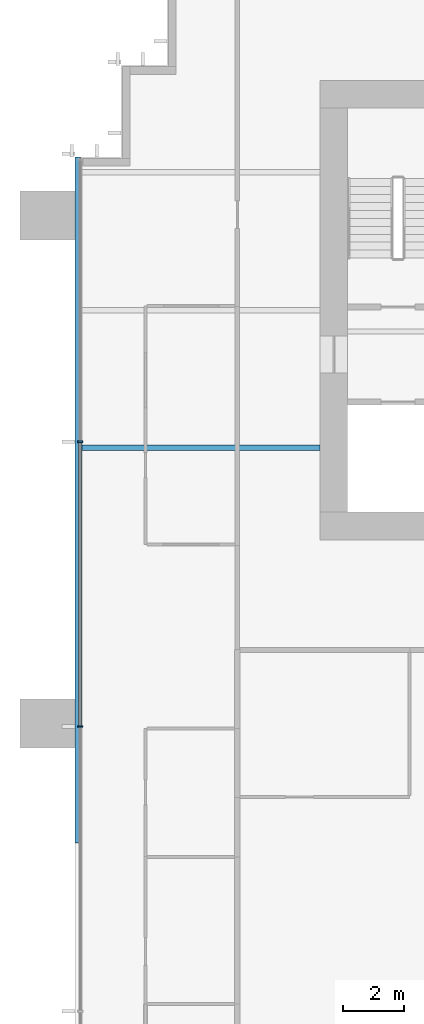
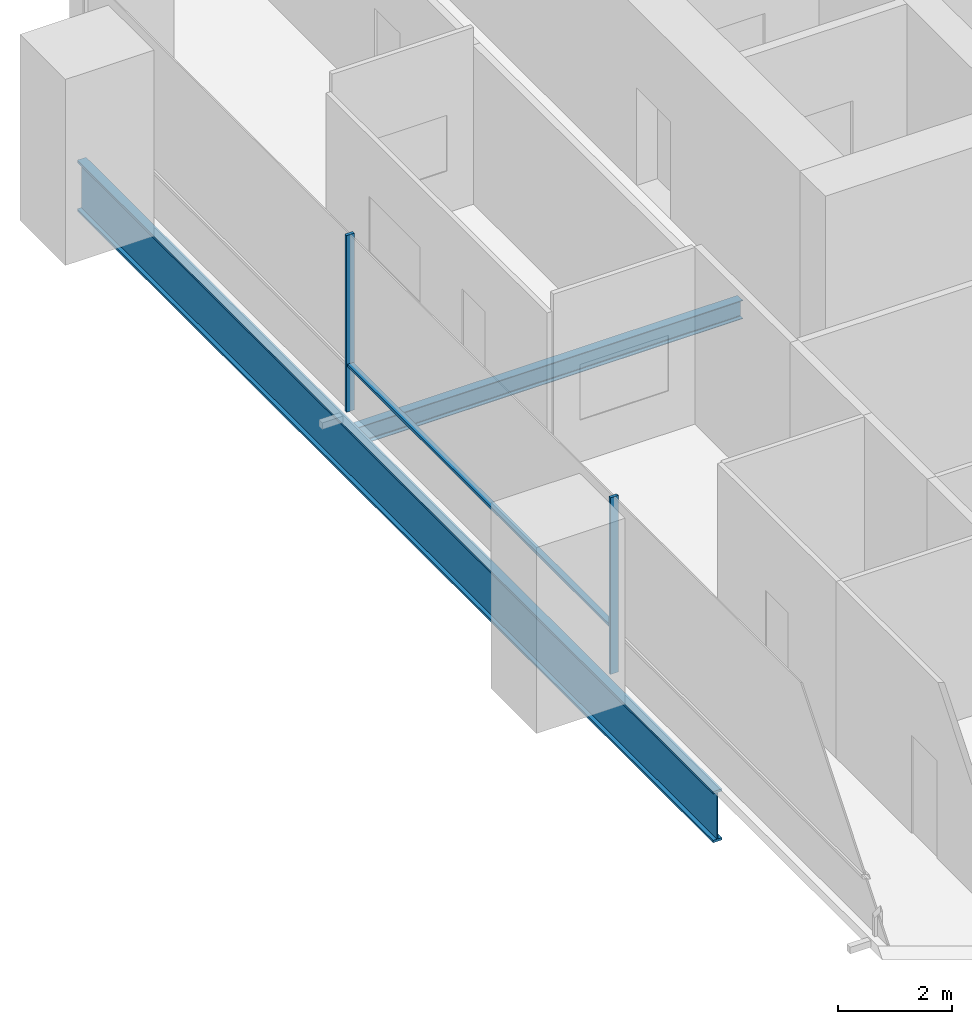
# One storey, part 4 of 17: 3 members, 2 beams, 1 element without a shape of its own.
"""IFC4 building model written with IfcOpenShell, lengths in metres."""

from ifc_helpers import new_model, si_unit, direction, frame, origin, origin_2d, place, context, subcontext, project, spatial, rectangle, i_section, extrude, material, material_profile, profile_set, type_object, element, aggregate, save


model = new_model("IFC4")

# Units and contexts
model_context = context("Model", 3, precision=1e-05, world=origin(), true_north=direction((0.0, 1.0)))
body_context = subcontext(model_context, "Body", "Model", "MODEL_VIEW")
ifc_project = project(units=[si_unit("LENGTHUNIT", "METRE"), si_unit("AREAUNIT", "SQUARE_METRE"), si_unit("VOLUMEUNIT", "CUBIC_METRE"), si_unit("PLANEANGLEUNIT", "RADIAN"), si_unit("MASSUNIT", "GRAM", prefix="KILO")], contexts=[model_context])

# Site, building, storey
site_placement = place(None, origin())
site = spatial("IfcSite", under=ifc_project, at=site_placement, CompositionType="ELEMENT")
building_placement = place(site_placement, origin())
building = spatial("IfcBuilding", under=site, at=building_placement, Name="Rattan Terrace Tower", CompositionType="ELEMENT")
storey_placement = place(building_placement, frame((0.0, 0.0, 95.699951171875)))
storey = spatial("IfcBuildingStorey", under=building, at=storey_placement, Name="L21", CompositionType="ELEMENT", Elevation=95.699951171875)

# Curtain wall, members
ifc_material_1 = material(Name="Aluminium and glass", Category="aluminium")
curtain_wall_type = type_object("IfcCurtainWallType", Name="Facade Unitised Curtain Wall", PredefinedType="NOTDEFINED", material=ifc_material_1)
curtain_wall_placement = place(storey_placement, origin())
curtain_wall = element("IfcCurtainWall", 1, at=curtain_wall_placement, inside=storey, type_object=curtain_wall_type, Name="Curtain wall L21-3", PredefinedType="NOTDEFINED")
ifc_material_2 = material(Name="Aluminium", Category="aluminium")
ifc_material_profile_1 = material_profile(ifc_material_2, rectangle(XDim=0.06005859375, YDim=0.159912109375, at=origin_2d()), Name="Aluminium 60x160")
ifc_profile_set_1 = profile_set([ifc_material_profile_1], Name="Aluminium")
member_type_1 = type_object("IfcMemberType", Name="Facade CW Mullion 60x160", PredefinedType="MULLION", material=ifc_profile_set_1)
member_1_placement = place(storey_placement, frame((-25.830078125, -4.300048828125, 0.0), z_axis=(0.0, 0.0, 1.0), x_axis=(0.0, -1.0, 0.0)))
member_1 = element("IfcMember", 2, at=member_1_placement, type_object=member_type_1, Name="Mullion cwl-L21-003.2", PredefinedType="MULLION", context=body_context, shape_type="SweptSolid", body=[
    extrude(rectangle(XDim=0.06005859375, YDim=0.159912109375, at=origin_2d()), origin(), (0.0, 0.0, 1.0), 3.800048828125),
])
member_2_placement = place(storey_placement, frame((-25.830078125, -13.60009765625, 0.0), z_axis=(0.0, 0.0, 1.0), x_axis=(0.0, -1.0, 0.0)))
member_2 = element("IfcMember", 3, at=member_2_placement, type_object=member_type_1, Name="Mullion cwl-L21-003.3", PredefinedType="MULLION", context=body_context, shape_type="SweptSolid", body=[
    extrude(rectangle(XDim=0.06005859375, YDim=0.159912109375, at=origin_2d()), origin(), (0.0, 0.0, 1.0), 3.800048828125),
])
ifc_material_3 = material(Name="Aluminium", Category="aluminium")
ifc_material_profile_2 = material_profile(ifc_material_3, rectangle(XDim=0.1201171875, YDim=0.06005859375, at=origin_2d()), Name="Aluminium 120x60")
ifc_profile_set_2 = profile_set([ifc_material_profile_2], Name="Aluminium")
member_type_2 = type_object("IfcMemberType", Name="Facade CW Transom 120x60", PredefinedType="USERDEFINED", material=ifc_profile_set_2)
member_3_placement = place(storey_placement, frame((-25.830078125, -4.330078125, 1.0), z_axis=(0.0, -1.0, 0.0), x_axis=(1.0, 0.0, 0.0)))
member_3 = element("IfcMember", 4, at=member_3_placement, type_object=member_type_2, Name="Transom cwl-L21-003.2", ObjectType="TRANSOM", PredefinedType="USERDEFINED", context=body_context, shape_type="SweptSolid", body=[
    extrude(rectangle(XDim=0.1201171875, YDim=0.06005859375, at=origin_2d()), origin(), (0.0, 0.0, 1.0), 9.239990234375),
])
aggregate(curtain_wall, [member_1, member_2, member_3])

# Beams
ifc_material_4 = material(Name="Steel S460", Category="steel")
ifc_material_profile_3 = material_profile(ifc_material_4, i_section(OverallWidth=0.179931640625, OverallDepth=1.10009765625, WebThickness=0.01611328125, FlangeThickness=0.050048828125, at=origin_2d()), Name="PG 1100x180-16-50")
ifc_profile_set_3 = profile_set([ifc_material_profile_3], Name="Steel S460")
beam_type_1 = type_object("IfcBeamType", Name="Frame edge girder PG 1100x180-16-50", PredefinedType="SPANDREL", material=ifc_profile_set_3)
beam_1_placement = place(storey_placement, frame((-25.909912109375, -17.39990234375, -0.75), z_axis=(0.0, 1.0, 0.0), x_axis=(-1.0, 0.0, 0.0)))
element("IfcBeam", 5, at=beam_1_placement, inside=storey, type_object=beam_type_1, Name="gdr-L21-004", PredefinedType="SPANDREL", context=body_context, shape_type="SweptSolid", body=[
    extrude(i_section(OverallWidth=0.179931640625, OverallDepth=1.10009765625, WebThickness=0.01611328125, FlangeThickness=0.050048828125, at=origin_2d()), origin(), (0.0, 0.0, 1.0), 22.39990234375),
])
ifc_material_5 = material(Name="Steel S355", Category="steel")
ifc_material_profile_4 = material_profile(ifc_material_5, i_section(OverallWidth=0.179931640625, OverallDepth=0.39990234375, WebThickness=0.008544921875, FlangeThickness=0.013427734375, FilletRadius=0.02099609375, at=origin_2d()), Name="IPE 400")
ifc_profile_set_4 = profile_set([ifc_material_profile_4], Name="Steel S355")
beam_type_2 = type_object("IfcBeamType", Name="Frame floor beam IPE 400", PredefinedType="JOIST", material=ifc_profile_set_4)
beam_2_placement = place(storey_placement, frame((-25.820068359375, -4.5, -0.39990234375), z_axis=(1.0, 0.0, 0.0), x_axis=(0.0, 1.0, 0.0)))
element("IfcBeam", 6, at=beam_2_placement, inside=storey, type_object=beam_type_2, Name="bm-L21-012", PredefinedType="JOIST", context=body_context, shape_type="SweptSolid", body=[
    extrude(i_section(OverallWidth=0.179931640625, OverallDepth=0.39990234375, WebThickness=0.008544921875, FlangeThickness=0.013427734375, FilletRadius=0.02099609375, at=origin_2d()), origin(), (0.0, 0.0, 1.0), 7.820068359375),
])

save(model, "model.ifc")
